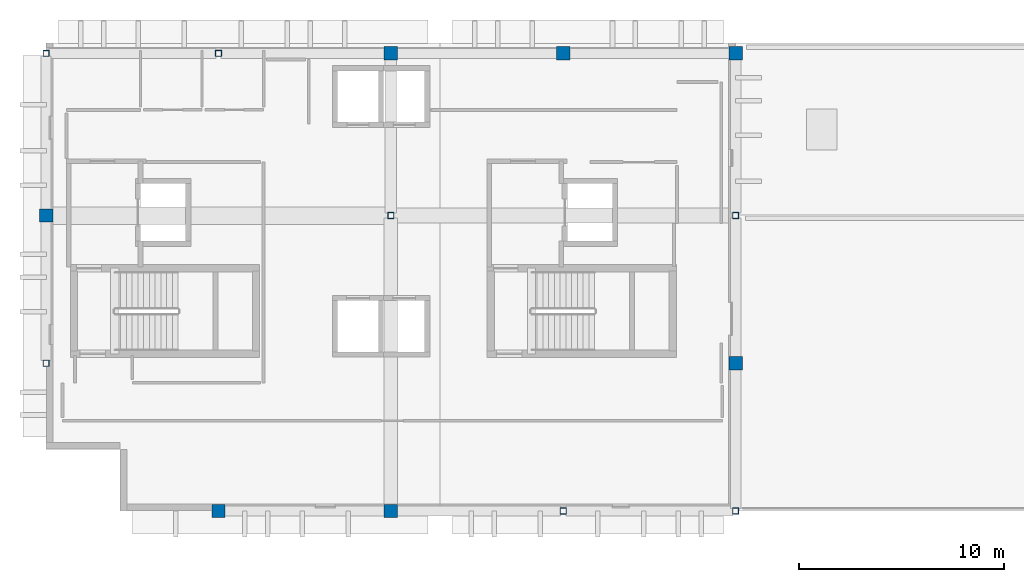
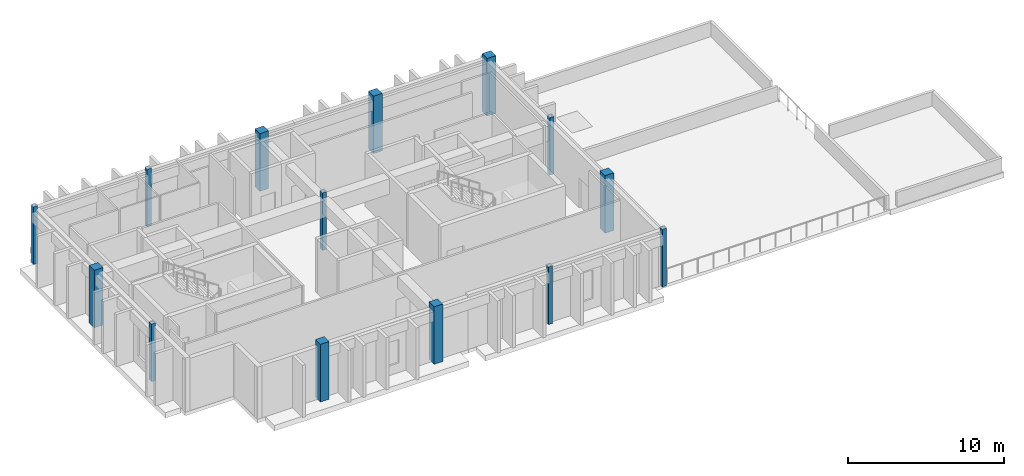
# One storey, part 1 of 7: 14 columns.
"""IFC4 building model written with IfcOpenShell, lengths in metres."""

from ifc_helpers import new_model, si_unit, direction, frame, origin, origin_2d, place, context, subcontext, project, spatial, rectangle, hollow_rectangle, extrude, material, material_profile, profile_set, type_object, element, save


model = new_model("IFC4")

# Units and contexts
model_context = context("Model", 3, precision=1e-05, world=origin(), true_north=direction((0.0, 1.0)))
body_context = subcontext(model_context, "Body", "Model", "MODEL_VIEW")
ifc_project = project(units=[si_unit("LENGTHUNIT", "METRE"), si_unit("AREAUNIT", "SQUARE_METRE"), si_unit("VOLUMEUNIT", "CUBIC_METRE"), si_unit("PLANEANGLEUNIT", "RADIAN"), si_unit("MASSUNIT", "GRAM", prefix="KILO")], contexts=[model_context])

# Site, building, storey
site_placement = place(None, origin())
site = spatial("IfcSite", under=ifc_project, at=site_placement, CompositionType="ELEMENT")
building_placement = place(site_placement, origin())
building = spatial("IfcBuilding", under=site, at=building_placement, Name="Quendrovan Civic Courthouse", CompositionType="ELEMENT")
storey_placement = place(building_placement, frame((0.0, 0.0, 40.199951171875)))
storey = spatial("IfcBuildingStorey", under=building, at=storey_placement, Name="L09", CompositionType="ELEMENT", Elevation=40.199951171875)

# Columns
ifc_material_1 = material(Name="Concrete C45/55", Category="concrete")
ifc_material_profile_1 = material_profile(ifc_material_1, rectangle(XDim=0.64990234375, YDim=0.64990234375, at=origin_2d()), Name="RC-COL-650x650")
ifc_profile_set_1 = profile_set([ifc_material_profile_1], Name="Concrete C45/55")
column_type_1 = type_object("IfcColumnType", Name="COL-RC650", PredefinedType="COLUMN", material=ifc_profile_set_1)
for number, where, z_axis, x_axis, name in (
    (1, (33.60009765625, 102.0, 0.0), (0.0, 0.0, 1.0), (1.0, 0.0, 0.0), "L09 Column 5-P"),
    (2, (42.0, 87.60009765625, 0.0), (0.0, 0.0, 1.0), (1.0, 0.0, 0.0), "L09 Column 6-M"),
    (3, (50.39990234375, 87.60009765625, 0.0), (0.0, 0.0, 1.0), (1.0, 0.0, 0.0), "L09 Column 7-M"),
    (4, (50.39990234375, 109.89990234375, 0.0), (0.0, 0.0, 1.0), (1.0, 0.0, 0.0), "L09 Column 7-Q"),
    (5, (58.800048828125, 109.89990234375, 0.0), (0.0, 0.0, 1.0), (1.0, 0.0, 0.0), "L09 Column 8-Q"),
    (6, (67.199951171875, 94.800048828125, 0.0), (0.0, 0.0, 1.0), (1.0, 0.0, 0.0), "L09 Column 9-N"),
    (7, (67.199951171875, 109.89990234375, 0.0), (0.0, 0.0, 1.0), (1.0, 0.0, 0.0), "L09 Column 9-Q"),
):
    element("IfcColumn", number, at=place(storey_placement, frame(where, z_axis=z_axis, x_axis=x_axis)), inside=storey, type_object=column_type_1, Name=name, PredefinedType="COLUMN", context=body_context, shape_type="SweptSolid", body=[
        extrude(rectangle(XDim=0.64990234375, YDim=0.64990234375, at=origin_2d()), origin(), (0.0, 0.0, 1.0), 4.5),
    ])
ifc_material_2 = material(Name="Steel ASTM A500 Grade C", Category="steel")
ifc_material_profile_2 = material_profile(ifc_material_2, hollow_rectangle(XDim=0.300048828125, YDim=0.300048828125, WallThickness=0.011962890625, at=origin_2d()), Name="HSS300x300x12")
ifc_profile_set_2 = profile_set([ifc_material_profile_2], Name="Steel ASTM A500 Grade C")
column_type_2 = type_object("IfcColumnType", Name="COL-STL-HSS300S", PredefinedType="COLUMN", material=ifc_profile_set_2)
for number, where, z_axis, x_axis, name in (
    (8, (33.60009765625, 94.800048828125, 0.0), (0.0, 0.0, 1.0), (1.0, 0.0, 0.0), "L09 Column 5-N"),
    (9, (33.60009765625, 109.89990234375, 0.0), (0.0, 0.0, 1.0), (1.0, 0.0, 0.0), "L09 Column 5-Q"),
    (10, (42.0, 109.89990234375, 0.0), (0.0, 0.0, 1.0), (1.0, 0.0, 0.0), "L09 Column 6-Q"),
    (11, (50.39990234375, 102.0, 0.0), (0.0, 0.0, 1.0), (1.0, 0.0, 0.0), "L09 Column 7-P"),
    (12, (58.800048828125, 87.60009765625, 0.0), (0.0, 0.0, 1.0), (1.0, 0.0, 0.0), "L09 Column 8-M"),
    (13, (67.199951171875, 87.60009765625, 0.0), (0.0, 0.0, 1.0), (1.0, 0.0, 0.0), "L09 Column 9-M"),
    (14, (67.199951171875, 102.0, 0.0), (0.0, 0.0, 1.0), (1.0, 0.0, 0.0), "L09 Column 9-P"),
):
    element("IfcColumn", number, at=place(storey_placement, frame(where, z_axis=z_axis, x_axis=x_axis)), inside=storey, type_object=column_type_2, Name=name, PredefinedType="COLUMN", context=body_context, shape_type="SweptSolid", body=[
        extrude(hollow_rectangle(XDim=0.300048828125, YDim=0.300048828125, WallThickness=0.011962890625, at=origin_2d()), origin(), (0.0, 0.0, 1.0), 4.5),
    ])

save(model, "model.ifc")
